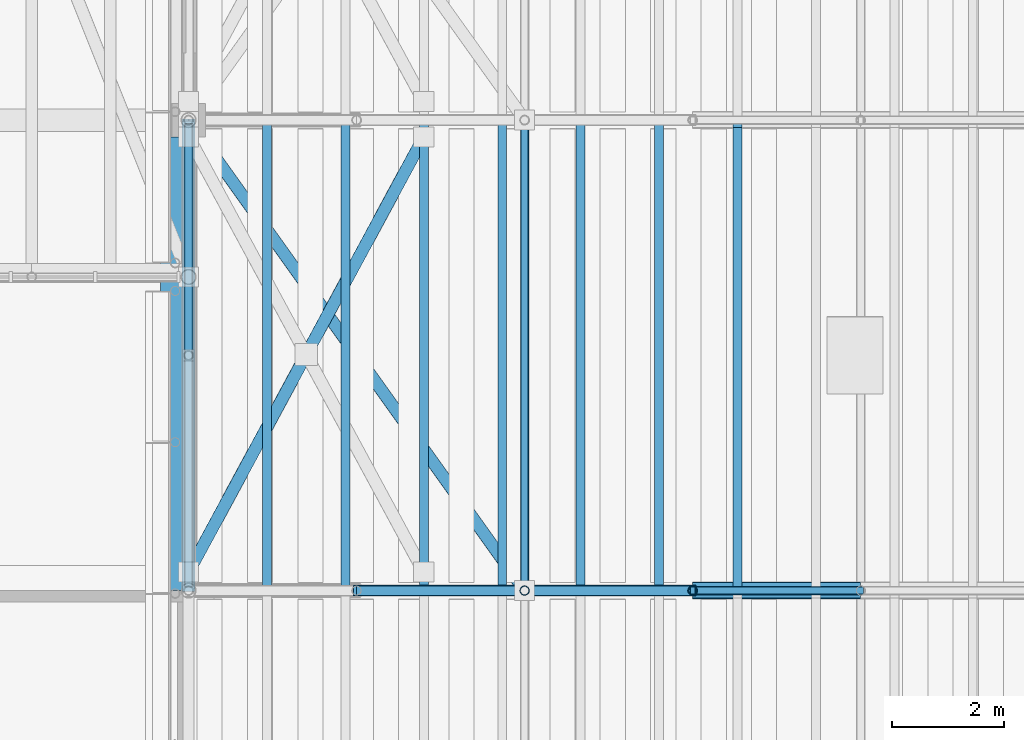
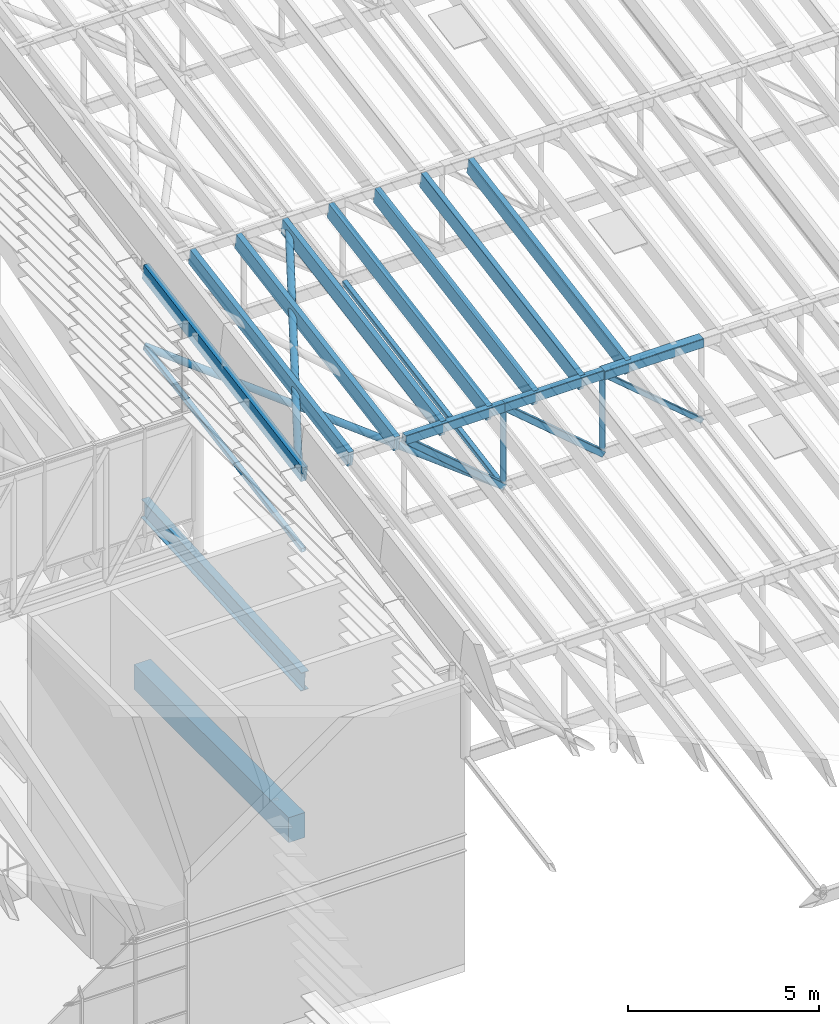
# One storey, part 15 of 91: 20 members, 2 beams.
"""IFC4 building model written with IfcOpenShell, lengths in metres."""

from ifc_helpers import new_model, si_unit, direction, frame, origin, origin_2d, place, context, subcontext, project, spatial, rectangle, hollow_rectangle, hollow_circle, i_section, extrude, material, material_profile, profile_set, type_object, element, save


model = new_model("IFC4")

# Units and contexts
model_context = context("Model", 3, precision=1e-05, world=origin(), true_north=direction((0.0, 1.0)))
body_context = subcontext(model_context, "Body", "Model", "MODEL_VIEW")
ifc_project = project(units=[si_unit("LENGTHUNIT", "METRE"), si_unit("AREAUNIT", "SQUARE_METRE"), si_unit("VOLUMEUNIT", "CUBIC_METRE"), si_unit("PLANEANGLEUNIT", "RADIAN"), si_unit("MASSUNIT", "GRAM", prefix="KILO")], contexts=[model_context])

# Site, building, storey
site_placement = place(None, origin())
site = spatial("IfcSite", under=ifc_project, at=site_placement, CompositionType="ELEMENT")
building_placement = place(site_placement, origin())
building = spatial("IfcBuilding", under=site, at=building_placement, Name="Almond Square Museum", CompositionType="ELEMENT")
storey_placement = place(building_placement, frame((0.0, 0.0, 30.0)))
storey = spatial("IfcBuildingStorey", under=building, at=storey_placement, Name="L05", CompositionType="ELEMENT", Elevation=30.0)

# Beam
ifc_material_1 = material(Name="Structural steel S355", Category="steel")
ifc_material_profile_1 = material_profile(ifc_material_1, i_section(OverallWidth=0.22802734375, OverallDepth=0.60693359375, WebThickness=0.01123046875, FlangeThickness=0.017333984375, at=origin_2d()))
ifc_profile_set_1 = profile_set([ifc_material_profile_1], Name="Structural steel S355")
beam_type_1 = type_object("IfcBeamType", Name="Girder W610x113", PredefinedType="BEAM", material=ifc_profile_set_1)
beam_1_placement = place(storey_placement, frame((106.800048828125, 75.60009765625, 3.956787109375), z_axis=(0.0, 0.998371428865, 0.0570481378), x_axis=(-1.0, 0.0, 0.0)))
element("IfcBeam", 1, at=beam_1_placement, inside=storey, type_object=beam_type_1, Name="Atrium roof girder 4.1", PredefinedType="BEAM", context=body_context, shape_type="SweptSolid", body=[
    extrude(i_section(OverallWidth=0.22802734375, OverallDepth=0.60693359375, WebThickness=0.01123046875, FlangeThickness=0.017333984375, at=origin_2d()), origin(), (0.0, 0.0, 1.0), 8.41357421875),
])

# Members
ifc_material_2 = material(Name="Glulam GL28h", Category="wood")
ifc_material_profile_2 = material_profile(ifc_material_2, rectangle(XDim=0.159912109375, YDim=0.5, at=origin_2d()))
ifc_profile_set_2 = profile_set([ifc_material_profile_2], Name="Glulam GL28h")
member_type_1 = type_object("IfcMemberType", Name="Glulam rafter GL28h 160x500", PredefinedType="RAFTER", material=ifc_profile_set_2)
for number, where, z_axis, x_axis, name in (
    (2, (106.800048828125, 75.6298828125, 10.559814453125), (0.0, 0.985026914324, 0.172400632414), (-1.0, 0.0, 0.0), "Hall rafter 4.1"),
    (3, (108.199951171875, 75.6298828125, 10.559814453125), (0.0, 0.985026914324, 0.172400632414), (-1.0, 0.0, 0.0), "Hall rafter 4.2"),
    (4, (109.60009765625, 75.6298828125, 10.559814453125), (0.0, 0.985026914324, 0.172400632414), (-1.0, 0.0, 0.0), "Hall rafter 4.3"),
    (5, (111.0, 75.6298828125, 10.559814453125), (0.0, 0.985026914324, 0.172400632414), (-1.0, 0.0, 0.0), "Hall rafter 4.4"),
    (6, (112.39990234375, 75.6298828125, 10.559814453125), (0.0, 0.985026914324, 0.172400632414), (-1.0, 0.0, 0.0), "Hall rafter 4.5"),
    (7, (113.800048828125, 75.6298828125, 10.559814453125), (0.0, 0.985026914324, 0.172400632414), (-1.0, 0.0, 0.0), "Hall rafter 4.6"),
    (8, (115.199951171875, 75.6298828125, 10.559814453125), (0.0, 0.985026914324, 0.172400632414), (-1.0, 0.0, 0.0), "Hall rafter 4.7"),
):
    element("IfcMember", number, at=place(storey_placement, frame(where, z_axis=z_axis, x_axis=x_axis)), inside=storey, type_object=member_type_1, Name=name, PredefinedType="RAFTER", context=body_context, shape_type="SweptSolid", body=[
        extrude(rectangle(XDim=0.159912109375, YDim=0.5, at=origin_2d()), origin(), (0.0, 0.0, 1.0), 8.4599609375),
    ])
member_1_placement = place(storey_placement, frame((116.60009765625, 75.6298828125, 10.559814453125), z_axis=(0.0, 0.985027509143, 0.172397233827), x_axis=(-1.0, 0.0, 0.0)))
element("IfcMember", 9, at=member_1_placement, inside=storey, type_object=member_type_1, Name="Hall rafter 4.8", PredefinedType="RAFTER", context=body_context, shape_type="SweptSolid", body=[
    extrude(rectangle(XDim=0.159912109375, YDim=0.5, at=origin_2d()), origin(), (0.0, 0.0, 1.0), 8.4091796875),
])

# Beam
ifc_material_3 = material(Name="Concrete C40/50", Category="concrete")
ifc_material_profile_3 = material_profile(ifc_material_3, rectangle(XDim=0.5, YDim=0.800048828125, at=origin_2d()))
ifc_profile_set_3 = profile_set([ifc_material_profile_3], Name="Concrete C40/50")
beam_type_2 = type_object("IfcBeamType", Name="RC edge beam 500 x 800 C40/50", PredefinedType="BEAM", material=ifc_profile_set_3)
beam_2_placement = place(storey_placement, frame((106.550048828125, 75.60009765625, -0.64990234375), z_axis=(0.0, 1.0, 0.0), x_axis=(-1.0, 0.0, 0.0)))
element("IfcBeam", 10, at=beam_2_placement, inside=storey, type_object=beam_type_2, Name="Edge beam 14 J-K L05", PredefinedType="BEAM", context=body_context, shape_type="SweptSolid", body=[
    extrude(rectangle(XDim=0.5, YDim=0.800048828125, at=origin_2d()), origin(), (0.0, 0.0, 1.0), 8.099853515625),
])

# Members
ifc_material_4 = material(Name="Structural steel S355", Category="steel")
ifc_material_profile_4 = material_profile(ifc_material_4, hollow_circle(Radius=0.109619140625, WallThickness=0.010009765625, at=origin_2d()))
ifc_profile_set_4 = profile_set([ifc_material_profile_4], Name="Structural steel S355")
member_type_2 = type_object("IfcMemberType", Name="Roof brace CHS 219.1x10", PredefinedType="BRACE", material=ifc_profile_set_4)
member_2_placement = place(storey_placement, frame((112.800048828125, 75.60009765625, 8.110107421875), z_axis=(-0.575437525573, 0.805603169958, 0.140979384012), x_axis=(-0.813730275137, -0.581242668191, 0.0)))
element("IfcMember", 11, at=member_2_placement, inside=storey, type_object=member_type_2, Name="Hall bay 4 plan brace", PredefinedType="BRACE", context=body_context, shape_type="SweptSolid", body=[
    extrude(hollow_circle(Radius=0.109619140625, WallThickness=0.010009765625, at=origin_2d()), origin(), (0.0, 0.0, 1.0), 10.4267578125),
])
member_3_placement = place(storey_placement, frame((106.800048828125, 75.929931640625, 10.6123046875), z_axis=(0.469974280677, 0.869464712946, 0.15216861846), x_axis=(-0.879709326121, 0.475511831121, 0.0)))
element("IfcMember", 12, at=member_3_placement, inside=storey, type_object=member_type_2, Name="Hall roof plane brace 4", PredefinedType="BRACE", context=body_context, shape_type="SweptSolid", body=[
    extrude(hollow_circle(Radius=0.109619140625, WallThickness=0.010009765625, at=origin_2d()), origin(), (0.0, 0.0, 1.0), 8.9365234375),
])
ifc_material_5 = material(Name="Structural steel S355", Category="steel")
ifc_material_profile_5 = material_profile(ifc_material_5, hollow_rectangle(XDim=0.199951171875, YDim=0.300048828125, WallThickness=0.010009765625, InnerFilletRadius=0.014892578125, OuterFilletRadius=0.02490234375, at=origin_2d()))
ifc_profile_set_5 = profile_set([ifc_material_profile_5], Name="Structural steel S355")
member_type_3 = type_object("IfcMemberType", Name="Truss chord RHS 300x200x10", PredefinedType="CHORD", material=ifc_profile_set_5)
for number, where, z_axis, x_axis, name in (
    (13, (109.800048828125, 75.60009765625, 10.658447265625), (1.0, 0.0, 0.0), (0.0, 1.0, 0.0), "TR-04 top chord 2"),
    (14, (112.800048828125, 75.60009765625, 10.658447265625), (1.0, 0.0, 0.0), (0.0, 1.0, 0.0), "TR-04 top chord 3"),
):
    element("IfcMember", number, at=place(storey_placement, frame(where, z_axis=z_axis, x_axis=x_axis)), inside=storey, type_object=member_type_3, Name=name, PredefinedType="CHORD", context=body_context, shape_type="SweptSolid", body=[
        extrude(hollow_rectangle(XDim=0.199951171875, YDim=0.300048828125, WallThickness=0.010009765625, InnerFilletRadius=0.014892578125, OuterFilletRadius=0.02490234375, at=origin_2d()), origin(), (0.0, 0.0, 1.0), 3.0),
    ])
ifc_material_6 = material(Name="Structural steel S355", Category="steel")
ifc_material_profile_6 = material_profile(ifc_material_6, hollow_rectangle(XDim=0.300048828125, YDim=0.300048828125, WallThickness=0.012451171875, InnerFilletRadius=0.02490234375, OuterFilletRadius=0.03759765625, at=origin_2d()))
ifc_profile_set_6 = profile_set([ifc_material_profile_6], Name="Structural steel S355")
member_type_4 = type_object("IfcMemberType", Name="Truss chord SHS 300x300x12.5", PredefinedType="CHORD", material=ifc_profile_set_6)
member_4_placement = place(storey_placement, frame((115.800048828125, 75.60009765625, 10.658447265625), z_axis=(1.0, 0.0, 0.0), x_axis=(0.0, 1.0, 0.0)))
element("IfcMember", 15, at=member_4_placement, inside=storey, type_object=member_type_4, Name="TR-04 top chord 4", PredefinedType="CHORD", context=body_context, shape_type="SweptSolid", body=[
    extrude(hollow_rectangle(XDim=0.300048828125, YDim=0.300048828125, WallThickness=0.012451171875, InnerFilletRadius=0.02490234375, OuterFilletRadius=0.03759765625, at=origin_2d()), origin(), (0.0, 0.0, 1.0), 3.0),
])
ifc_material_7 = material(Name="Structural steel S355", Category="steel")
ifc_material_profile_7 = material_profile(ifc_material_7, hollow_rectangle(XDim=0.14990234375, YDim=0.14990234375, WallThickness=0.008056640625, InnerFilletRadius=0.011962890625, OuterFilletRadius=0.02001953125, at=origin_2d()))
ifc_profile_set_7 = profile_set([ifc_material_profile_7], Name="Structural steel S355")
member_type_5 = type_object("IfcMemberType", Name="Truss diagonal SHS 150x150x8", PredefinedType="BRACE", material=ifc_profile_set_7)
member_5_placement = place(storey_placement, frame((115.800048828125, 75.60009765625, 10.658447265625), z_axis=(0.762147404437, 0.0, -0.647403532513), x_axis=(0.0, 1.0, 0.0)))
element("IfcMember", 16, at=member_5_placement, inside=storey, type_object=member_type_5, Name="TR-04 diagonal 4", PredefinedType="BRACE", context=body_context, shape_type="SweptSolid", body=[
    extrude(hollow_rectangle(XDim=0.14990234375, YDim=0.14990234375, WallThickness=0.008056640625, InnerFilletRadius=0.011962890625, OuterFilletRadius=0.02001953125, at=origin_2d()), origin(), (0.0, 0.0, 1.0), 3.936279296875),
])
ifc_material_8 = material(Name="Structural steel S355", Category="steel")
ifc_material_profile_8 = material_profile(ifc_material_8, hollow_rectangle(XDim=0.199951171875, YDim=0.199951171875, WallThickness=0.010009765625, InnerFilletRadius=0.014892578125, OuterFilletRadius=0.02490234375, at=origin_2d()))
ifc_profile_set_8 = profile_set([ifc_material_profile_8], Name="Structural steel S355")
member_type_6 = type_object("IfcMemberType", Name="Truss diagonal SHS 200x200x10", PredefinedType="BRACE", material=ifc_profile_set_8)
for number, where, z_axis, x_axis, name in (
    (17, (109.800048828125, 75.60009765625, 10.658447265625), (0.762147404437, 0.0, -0.647403532513), (0.0, 1.0, 0.0), "TR-04 diagonal 2"),
    (18, (112.800048828125, 75.60009765625, 10.658447265625), (0.762147404437, 0.0, -0.647403532513), (0.0, 1.0, 0.0), "TR-04 diagonal 3"),
):
    element("IfcMember", number, at=place(storey_placement, frame(where, z_axis=z_axis, x_axis=x_axis)), inside=storey, type_object=member_type_6, Name=name, PredefinedType="BRACE", context=body_context, shape_type="SweptSolid", body=[
        extrude(hollow_rectangle(XDim=0.199951171875, YDim=0.199951171875, WallThickness=0.010009765625, InnerFilletRadius=0.014892578125, OuterFilletRadius=0.02490234375, at=origin_2d()), origin(), (0.0, 0.0, 1.0), 3.936279296875),
    ])
ifc_material_9 = material(Name="Structural steel S355", Category="steel")
ifc_material_profile_9 = material_profile(ifc_material_9, hollow_circle(Radius=0.084228515625, WallThickness=0.008056640625, at=origin_2d()))
ifc_profile_set_9 = profile_set([ifc_material_profile_9], Name="Structural steel S355")
member_type_7 = type_object("IfcMemberType", Name="Truss post CHS 168.3x8", PredefinedType="POST", material=ifc_profile_set_9)
for number, where, z_axis, x_axis, name in (
    (19, (112.800048828125, 75.60009765625, 8.110107421875), (0.0, 0.0, 1.0), (1.0, 0.0, 0.0), "TR-04 post 3"),
    (20, (115.800048828125, 75.60009765625, 8.110107421875), (0.0, 0.0, 1.0), (1.0, 0.0, 0.0), "TR-04 post 4"),
):
    element("IfcMember", number, at=place(storey_placement, frame(where, z_axis=z_axis, x_axis=x_axis)), inside=storey, type_object=member_type_7, Name=name, PredefinedType="POST", context=body_context, shape_type="SweptSolid", body=[
        extrude(hollow_circle(Radius=0.084228515625, WallThickness=0.008056640625, at=origin_2d()), origin(), (0.0, 0.0, 1.0), 2.54833984375),
    ])
ifc_material_10 = material(Name="Structural steel S355", Category="steel")
ifc_material_profile_10 = material_profile(ifc_material_10, hollow_rectangle(XDim=0.14990234375, YDim=0.14990234375, WallThickness=0.008056640625, InnerFilletRadius=0.011962890625, OuterFilletRadius=0.02001953125, at=origin_2d()))
ifc_profile_set_10 = profile_set([ifc_material_profile_10], Name="Structural steel S355")
member_type_8 = type_object("IfcMemberType", Name="Truss tie SHS 150x150x8", PredefinedType="MEMBER", material=ifc_profile_set_10)
for number, where, z_axis, x_axis, name in (
    (21, (106.800048828125, 75.675048828125, 8.110107421875), (0.0, 0.984494486924, 0.175415521596), (-1.0, 0.0, 0.0), "Hall bay 4 tie 1"),
    (22, (112.800048828125, 75.675048828125, 8.110107421875), (0.0, 0.984494486924, 0.175415521596), (-1.0, 0.0, 0.0), "Hall bay 4 tie 2"),
):
    element("IfcMember", number, at=place(storey_placement, frame(where, z_axis=z_axis, x_axis=x_axis)), inside=storey, type_object=member_type_8, Name=name, PredefinedType="MEMBER", context=body_context, shape_type="SweptSolid", body=[
        extrude(hollow_rectangle(XDim=0.14990234375, YDim=0.14990234375, WallThickness=0.008056640625, InnerFilletRadius=0.011962890625, OuterFilletRadius=0.02001953125, at=origin_2d()), origin(), (0.0, 0.0, 1.0), 8.3798828125),
    ])

save(model, "model.ifc")
